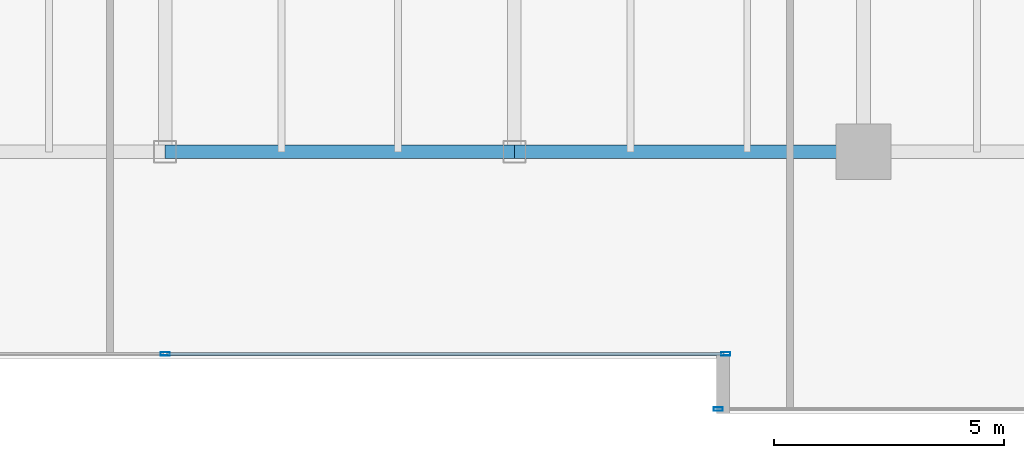
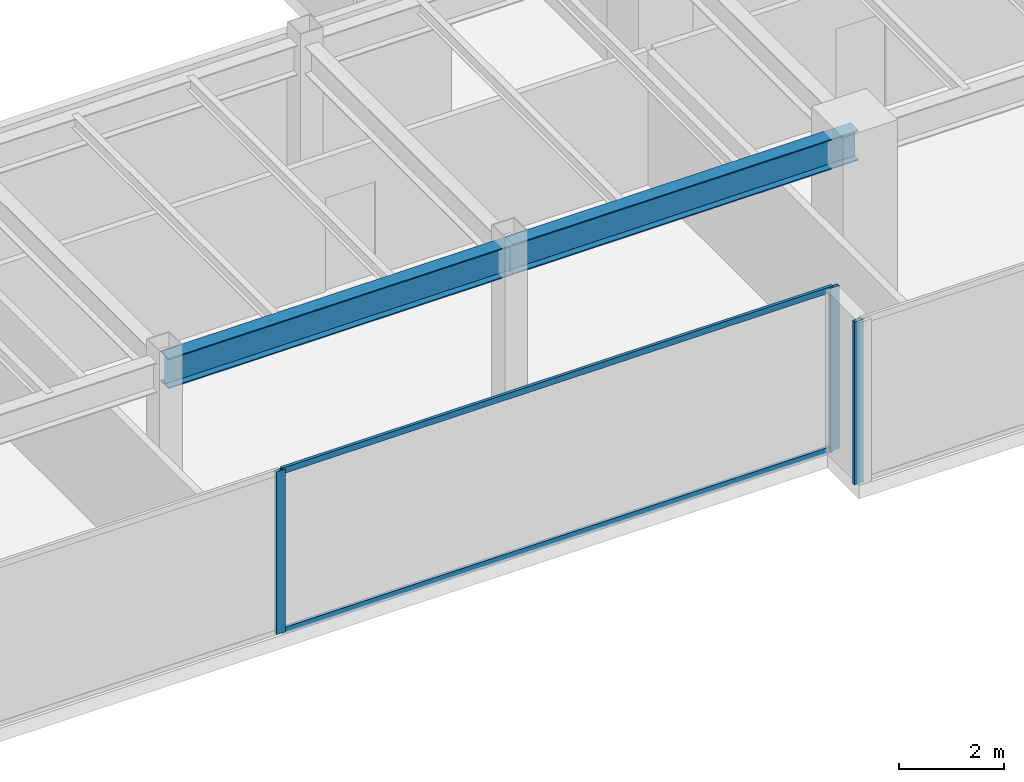
# One storey, part 10 of 30: 5 members, 2 beams, 2 elements without a shape of their own.
"""IFC4 building model written with IfcOpenShell, lengths in metres."""

from ifc_helpers import new_model, si_unit, direction, frame, origin, origin_2d, place, context, subcontext, project, spatial, hollow_rectangle, i_section, extrude, source, transform, mapped, material, layer, layer_set, material_profile, profile_set, type_object, type_shapes, element, aggregate, save


model = new_model("IFC4")

# Units and contexts
model_context = context("Model", 3, precision=1e-05, world=origin(), true_north=direction((0.0, 1.0)))
body_context = subcontext(model_context, "Body", "Model", "MODEL_VIEW")
ifc_project = project(units=[si_unit("LENGTHUNIT", "METRE"), si_unit("AREAUNIT", "SQUARE_METRE"), si_unit("VOLUMEUNIT", "CUBIC_METRE"), si_unit("PLANEANGLEUNIT", "RADIAN"), si_unit("MASSUNIT", "GRAM", prefix="KILO")], contexts=[model_context])

# Site, building, storey
site_placement = place(None, origin())
site = spatial("IfcSite", under=ifc_project, at=site_placement, CompositionType="ELEMENT")
building_placement = place(site_placement, origin())
building = spatial("IfcBuilding", under=site, at=building_placement, Name="Haelvirn Gate Laboratories", CompositionType="ELEMENT")
storey_placement = place(building_placement, frame((0.0, 0.0, 125.60009765625)))
storey = spatial("IfcBuildingStorey", under=building, at=storey_placement, Name="L30", CompositionType="ELEMENT", Elevation=125.60009765625)

# Beams
ifc_material_1 = material(Name="Steel SM355", Category="steel")
ifc_material_profile_1 = material_profile(ifc_material_1, i_section(OverallWidth=0.300048828125, OverallDepth=0.699951171875, WebThickness=0.012939453125, FlangeThickness=0.02392578125, at=origin_2d()), Name="H-700x300x13x24")
ifc_profile_set_1 = profile_set([ifc_material_profile_1], Name="Steel SM355")
beam_type = type_object("IfcBeamType", Name="BM-G-700", PredefinedType="BEAM", material=ifc_profile_set_1)
shared_shape_1 = source(origin(), body_context, "Body", "SweptSolid", [
    extrude(i_section(OverallWidth=0.300048828125, OverallDepth=0.699951171875, WebThickness=0.012939453125, FlangeThickness=0.02392578125, at=origin_2d()), origin(), (0.0, 0.0, 1.0), 7.60009765625),
])
type_shapes(beam_type, [shared_shape_1])
for number, where, z_axis, x_axis, name in (
    (1, (37.39990234375, 7.0, 3.43994140625), (1.0, 0.0, 0.0), (0.0, 1.0, 0.0), "L30 Primary Girder Y7.0 (37.4-45.0)"),
    (2, (45.0, 7.0, 3.43994140625), (1.0, 0.0, 0.0), (0.0, 1.0, 0.0), "L30 Primary Girder Y7.0 (45.0-52.6)"),
):
    element("IfcBeam", number, at=place(storey_placement, frame(where, z_axis=z_axis, x_axis=x_axis)), inside=storey, type_object=beam_type, Name=name, PredefinedType="BEAM", context=body_context, shape_type="MappedRepresentation", body=[
        mapped(shared_shape_1, transform((0.0, 0.0, 0.0), scale=1.0)),
    ])

# Curtain wall, members
ifc_material_2 = material(Name="Anodised bronze unitised aluminium & triple low-E glass", Category="aluminium")
ifc_layer = layer(ifc_material_2, 0.179931640625, Name="CW-SYS-3")
ifc_layer_set = layer_set([ifc_layer], Name="Anodised bronze unitised aluminium & triple low-E glass")
curtain_wall_type = type_object("IfcCurtainWallType", Name="CW-SYS-3", PredefinedType="NOTDEFINED", material=ifc_layer_set)
curtain_wall_1_placement = place(storey_placement, origin())
curtain_wall_1 = element("IfcCurtainWall", 3, at=curtain_wall_1_placement, inside=storey, type_object=curtain_wall_type, Name="L30 Unitised Curtain Wall CW-L30-P0-E02-1", PredefinedType="NOTDEFINED")
ifc_material_3 = material(Name="Extruded aluminium 6063-T6 (anodised bronze)", Category="aluminium")
ifc_material_profile_2 = material_profile(ifc_material_3, hollow_rectangle(XDim=0.06494140625, YDim=0.139892578125, WallThickness=0.00390625, at=origin_2d()), Name="CWT-140x65x4")
ifc_profile_set_2 = profile_set([ifc_material_profile_2], Name="Extruded aluminium 6063-T6 (anodised bronze)")
member_type_1 = type_object("IfcMemberType", Name="CWT-T140", PredefinedType="USERDEFINED", material=ifc_profile_set_2)
shared_shape_2 = source(origin(), body_context, "Body", "SweptSolid", [
    extrude(hollow_rectangle(XDim=0.06494140625, YDim=0.139892578125, WallThickness=0.00390625, at=origin_2d()), origin(), (0.0, 0.0, 1.0), 12.12744140625),
])
type_shapes(member_type_1, [shared_shape_2])
member_1_placement = place(storey_placement, frame((37.4375, 2.60009765625, 0.032470703125), z_axis=(1.0, 0.0, 0.0), x_axis=(0.0, 1.0, 0.0)))
member_1 = element("IfcMember", 4, at=member_1_placement, type_object=member_type_1, Name="CW3 transom 2.1", ObjectType="TRANSOM", PredefinedType="USERDEFINED", context=body_context, shape_type="MappedRepresentation", body=[
    mapped(shared_shape_2, transform((0.0, 0.0, 0.0), scale=1.0)),
])
member_2_placement = place(storey_placement, frame((37.4375, 2.60009765625, 3.75732421875), z_axis=(1.0, 0.0, 0.0), x_axis=(0.0, 1.0, 0.0)))
member_2 = element("IfcMember", 5, at=member_2_placement, type_object=member_type_1, Name="CW3 transom 2.2", ObjectType="TRANSOM", PredefinedType="USERDEFINED", context=body_context, shape_type="MappedRepresentation", body=[
    mapped(shared_shape_2, transform((0.0, 0.0, 0.0), scale=1.0)),
])
ifc_material_profile_3 = material_profile(ifc_material_3, hollow_rectangle(XDim=0.074951171875, YDim=0.199951171875, WallThickness=0.0048828125, at=origin_2d()), Name="CWM-200x75x5")
ifc_profile_set_3 = profile_set([ifc_material_profile_3], Name="Extruded aluminium 6063-T6 (anodised bronze)")
member_type_2 = type_object("IfcMemberType", Name="CWM-T200", PredefinedType="MULLION", material=ifc_profile_set_3)
shared_shape_3 = source(origin(), body_context, "Body", "SweptSolid", [
    extrude(hollow_rectangle(XDim=0.074951171875, YDim=0.199951171875, WallThickness=0.0048828125, at=origin_2d()), origin(), (0.0, 0.0, 1.0), 3.789794921875),
])
type_shapes(member_type_2, [shared_shape_3])
member_3_placement = place(storey_placement, frame((37.39990234375, 2.60009765625, 0.0), z_axis=(0.0, 0.0, 1.0), x_axis=(0.0, 1.0, 0.0)))
member_3 = element("IfcMember", 6, at=member_3_placement, type_object=member_type_2, Name="CW3 mullion 2", PredefinedType="MULLION", context=body_context, shape_type="MappedRepresentation", body=[
    mapped(shared_shape_3, transform((0.0, 0.0, 0.0), scale=1.0)),
])
member_4_placement = place(storey_placement, frame((49.6025390625, 2.60009765625, 0.0), z_axis=(0.0, 0.0, 1.0), x_axis=(0.0, 1.0, 0.0)))
member_4 = element("IfcMember", 7, at=member_4_placement, type_object=member_type_2, Name="CW3 mullion 3", PredefinedType="MULLION", context=body_context, shape_type="MappedRepresentation", body=[
    mapped(shared_shape_3, transform((0.0, 0.0, 0.0), scale=1.0)),
])
aggregate(curtain_wall_1, [member_3, member_4, member_1, member_2])

# Curtain wall, member
curtain_wall_2_placement = place(storey_placement, origin())
curtain_wall_2 = element("IfcCurtainWall", 8, at=curtain_wall_2_placement, inside=storey, type_object=curtain_wall_type, Name="L30 Unitised Curtain Wall CW-L30-P0-E04-1", PredefinedType="NOTDEFINED")
member_5_placement = place(storey_placement, frame((49.4375, 1.39990234375, 0.0), z_axis=(0.0, 0.0, 1.0), x_axis=(0.0, 1.0, 0.0)))
member_5 = element("IfcMember", 9, at=member_5_placement, type_object=member_type_2, Name="CW3 mullion 1", PredefinedType="MULLION", context=body_context, shape_type="MappedRepresentation", body=[
    mapped(shared_shape_3, transform((0.0, 0.0, 0.0), scale=1.0)),
])
aggregate(curtain_wall_2, [member_5])

save(model, "model.ifc")
